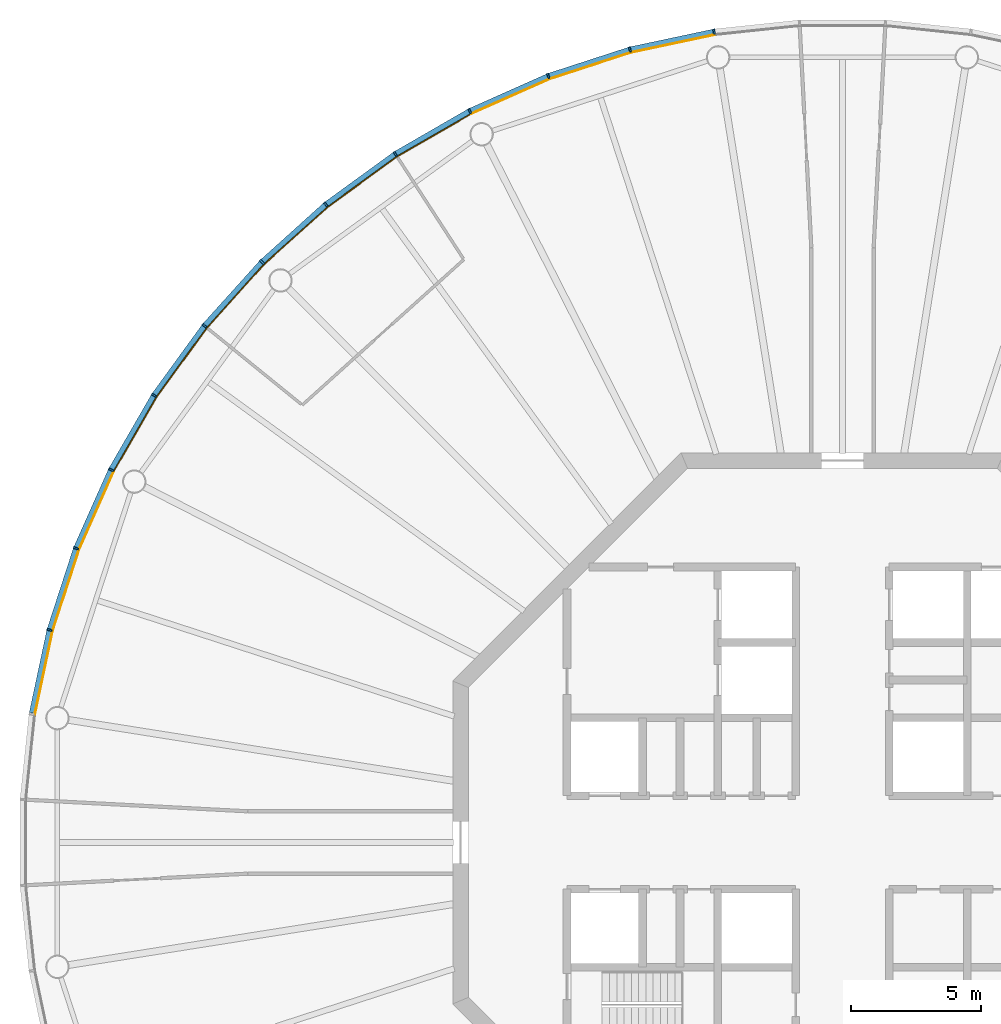
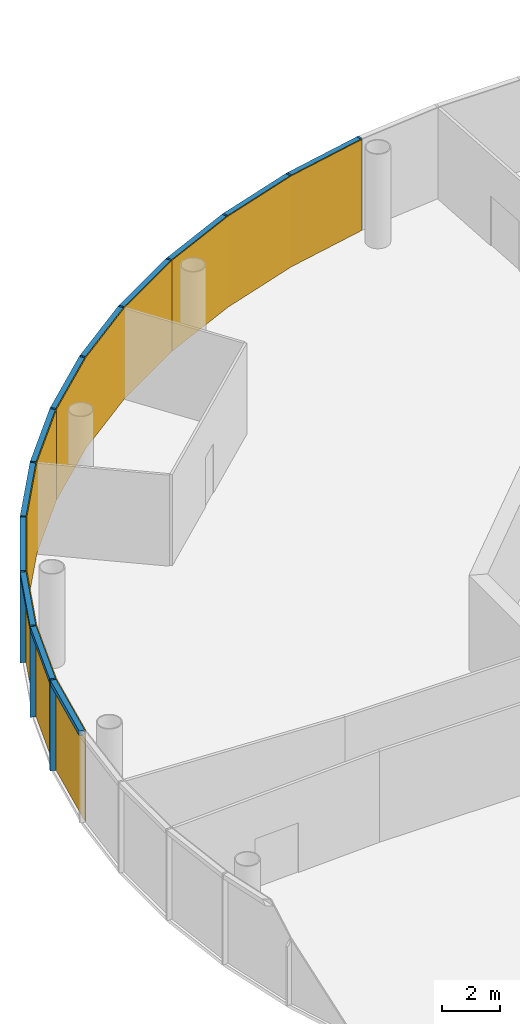
# One storey, part 10 of 13: 24 members, 4 curtain walls.
"""IFC4 building model written with IfcOpenShell, lengths in metres."""

from ifc_helpers import new_model, si_unit, direction, frame, origin, origin_2d, place, context, subcontext, project, spatial, polyline, rectangle, outline, extrude, material, layer, layer_set, material_profile, profile_set, type_object, element, aggregate, save


model = new_model("IFC4")

# Units and contexts
model_context = context("Model", 3, precision=1e-05, world=origin(), true_north=direction((0.0, 1.0)))
body_context = subcontext(model_context, "Body", "Model", "MODEL_VIEW")
ifc_project = project(units=[si_unit("LENGTHUNIT", "METRE"), si_unit("AREAUNIT", "SQUARE_METRE"), si_unit("VOLUMEUNIT", "CUBIC_METRE"), si_unit("PLANEANGLEUNIT", "RADIAN"), si_unit("MASSUNIT", "GRAM", prefix="KILO")], contexts=[model_context])

# Member
ifc_material_1 = material(Name="Anodised aluminium", Category="aluminium")
ifc_material_profile_1 = material_profile(ifc_material_1, rectangle(XDim=0.070068359375, YDim=0.205078125, at=origin_2d()), Name="Mullion 70 x 205 mm anodised aluminium")
ifc_profile_set_1 = profile_set([ifc_material_profile_1], Name="Anodised aluminium")
member_type_1 = type_object("IfcMemberType", Name="Mullion 70 x 205 mm anodised aluminium", PredefinedType="MULLION", material=ifc_profile_set_1)
site_placement = place(None, origin())
building_placement = place(site_placement, origin())
storey_placement = place(building_placement, frame((0.0, 0.0, 348.0)))
member_1_placement = place(storey_placement, frame((85.056396484375, 111.21337890625, 0.0), z_axis=(0.0, 0.0, 1.0), x_axis=(-0.987688340595, -0.15643446504, 0.0)))
member_1 = element("IfcMember", 1, at=member_1_placement, type_object=member_type_1, Name="MULLION L80-15", PredefinedType="MULLION", context=body_context, shape_type="SweptSolid", body=[
    extrude(rectangle(XDim=0.070068359375, YDim=0.205078125, at=origin_2d()), origin(), (0.0, 0.0, 1.0), 3.85009765625),
])

member_2_placement = place(storey_placement, frame((81.820556640625, 110.525634765625, 0.0), z_axis=(0.0, 0.0, 1.0), x_axis=(-0.965925826289, -0.258819045103, 0.0)))
member_2 = element("IfcMember", 2, at=member_2_placement, type_object=member_type_1, Name="MULLION L80-16", PredefinedType="MULLION", context=body_context, shape_type="SweptSolid", body=[
    extrude(rectangle(XDim=0.070068359375, YDim=0.205078125, at=origin_2d()), origin(), (0.0, 0.0, 1.0), 3.85009765625),
])

member_3_placement = place(storey_placement, frame((78.674560546875, 109.50341796875, 0.0), z_axis=(0.0, 0.0, 1.0), x_axis=(-0.933580426497, -0.358367949545, 0.0)))
member_3 = element("IfcMember", 3, at=member_3_placement, type_object=member_type_1, Name="MULLION L80-17", PredefinedType="MULLION", context=body_context, shape_type="SweptSolid", body=[
    extrude(rectangle(XDim=0.070068359375, YDim=0.205078125, at=origin_2d()), origin(), (0.0, 0.0, 1.0), 3.85009765625),
])

member_4_placement = place(storey_placement, frame((75.65283203125, 108.157958984375, 0.0), z_axis=(0.0, 0.0, 1.0), x_axis=(-0.891006524188, -0.45399049974, 0.0)))
member_4 = element("IfcMember", 4, at=member_4_placement, type_object=member_type_1, Name="MULLION L80-18", PredefinedType="MULLION", context=body_context, shape_type="SweptSolid", body=[
    extrude(rectangle(XDim=0.070068359375, YDim=0.205078125, at=origin_2d()), origin(), (0.0, 0.0, 1.0), 3.85009765625),
])

member_5_placement = place(storey_placement, frame((72.7880859375, 106.504150390625, 0.0), z_axis=(0.0, 0.0, 1.0), x_axis=(-0.838670567945, -0.544639035015, 0.0)))
member_5 = element("IfcMember", 5, at=member_5_placement, type_object=member_type_1, Name="MULLION L80-19", PredefinedType="MULLION", context=body_context, shape_type="SweptSolid", body=[
    extrude(rectangle(XDim=0.070068359375, YDim=0.205078125, at=origin_2d()), origin(), (0.0, 0.0, 1.0), 3.85009765625),
])

member_6_placement = place(storey_placement, frame((70.11181640625, 104.559814453125, 0.0), z_axis=(0.0, 0.0, 1.0), x_axis=(-0.777145961457, -0.62932039105, 0.0)))
member_6 = element("IfcMember", 6, at=member_6_placement, type_object=member_type_1, Name="MULLION L80-20", PredefinedType="MULLION", context=body_context, shape_type="SweptSolid", body=[
    extrude(rectangle(XDim=0.070068359375, YDim=0.205078125, at=origin_2d()), origin(), (0.0, 0.0, 1.0), 3.85009765625),
])

member_7_placement = place(storey_placement, frame((67.653564453125, 102.346435546875, 0.0), z_axis=(0.0, 0.0, 1.0), x_axis=(-0.707106781187, -0.707106781187, 0.0)))
member_7 = element("IfcMember", 7, at=member_7_placement, type_object=member_type_1, Name="MULLION L80-21", PredefinedType="MULLION", context=body_context, shape_type="SweptSolid", body=[
    extrude(rectangle(XDim=0.070068359375, YDim=0.205078125, at=origin_2d()), origin(), (0.0, 0.0, 1.0), 3.85009765625),
])

member_8_placement = place(storey_placement, frame((65.440185546875, 99.88818359375, 0.0), z_axis=(0.0, 0.0, 1.0), x_axis=(-0.62932039105, -0.777145961457, 0.0)))
member_8 = element("IfcMember", 8, at=member_8_placement, type_object=member_type_1, Name="MULLION L80-22", PredefinedType="MULLION", context=body_context, shape_type="SweptSolid", body=[
    extrude(rectangle(XDim=0.070068359375, YDim=0.205078125, at=origin_2d()), origin(), (0.0, 0.0, 1.0), 3.85009765625),
])

member_9_placement = place(storey_placement, frame((63.495849609375, 97.2119140625, 0.0), z_axis=(0.0, 0.0, 1.0), x_axis=(-0.544639035015, -0.838670567945, 0.0)))
member_9 = element("IfcMember", 9, at=member_9_placement, type_object=member_type_1, Name="MULLION L80-23", PredefinedType="MULLION", context=body_context, shape_type="SweptSolid", body=[
    extrude(rectangle(XDim=0.070068359375, YDim=0.205078125, at=origin_2d()), origin(), (0.0, 0.0, 1.0), 3.85009765625),
])

member_10_placement = place(storey_placement, frame((61.842041015625, 94.34716796875, 0.0), z_axis=(0.0, 0.0, 1.0), x_axis=(-0.45399049974, -0.891006524188, 0.0)))
member_10 = element("IfcMember", 10, at=member_10_placement, type_object=member_type_1, Name="MULLION L80-24", PredefinedType="MULLION", context=body_context, shape_type="SweptSolid", body=[
    extrude(rectangle(XDim=0.070068359375, YDim=0.205078125, at=origin_2d()), origin(), (0.0, 0.0, 1.0), 3.85009765625),
])

member_11_placement = place(storey_placement, frame((60.49658203125, 91.325439453125, 0.0), z_axis=(0.0, 0.0, 1.0), x_axis=(-0.358367949545, -0.933580426497, 0.0)))
member_11 = element("IfcMember", 11, at=member_11_placement, type_object=member_type_1, Name="MULLION L80-25", PredefinedType="MULLION", context=body_context, shape_type="SweptSolid", body=[
    extrude(rectangle(XDim=0.070068359375, YDim=0.205078125, at=origin_2d()), origin(), (0.0, 0.0, 1.0), 3.85009765625),
])

member_12_placement = place(storey_placement, frame((59.474365234375, 88.179443359375, 0.0), z_axis=(0.0, 0.0, 1.0), x_axis=(-0.258819045103, -0.965925826289, 0.0)))
member_12 = element("IfcMember", 12, at=member_12_placement, type_object=member_type_1, Name="MULLION L80-26", PredefinedType="MULLION", context=body_context, shape_type="SweptSolid", body=[
    extrude(rectangle(XDim=0.070068359375, YDim=0.205078125, at=origin_2d()), origin(), (0.0, 0.0, 1.0), 3.85009765625),
])

ifc_material_2 = material(Name="Anodised aluminium", Category="aluminium")
ifc_material_profile_2 = material_profile(ifc_material_2, rectangle(XDim=0.205078125, YDim=0.195068359375, at=origin_2d()), Name="Transom 195 x 205 mm anodised aluminium")
ifc_profile_set_2 = profile_set([ifc_material_profile_2], Name="Anodised aluminium")
member_type_2 = type_object("IfcMemberType", Name="Transom 195 x 205 mm anodised aluminium", PredefinedType="USERDEFINED", material=ifc_profile_set_2)
member_13_placement = place(storey_placement, frame((85.016845703125, 111.205078125, 3.75244140625), z_axis=(-0.978153082647, -0.207885898771, 0.0), x_axis=(0.207885898771, -0.978153082647, 0.0)))
member_13 = element("IfcMember", 13, at=member_13_placement, type_object=member_type_2, Name="TRANSOM L80-15", ObjectType="TRANSOM", PredefinedType="USERDEFINED", context=body_context, shape_type="SweptSolid", body=[
    extrude(rectangle(XDim=0.205078125, YDim=0.195068359375, at=origin_2d()), origin(), (0.0, 0.0, 1.0), 3.227294921875),
])

member_14_placement = place(storey_placement, frame((81.7822265625, 110.513427734375, 3.75244140625), z_axis=(-0.951046855117, -0.309046726844, 0.0), x_axis=(0.309046726844, -0.951046855117, 0.0)))
member_14 = element("IfcMember", 14, at=member_14_placement, type_object=member_type_2, Name="TRANSOM L80-16", ObjectType="TRANSOM", PredefinedType="USERDEFINED", context=body_context, shape_type="SweptSolid", body=[
    extrude(rectangle(XDim=0.205078125, YDim=0.195068359375, at=origin_2d()), origin(), (0.0, 0.0, 1.0), 3.22705078125),
])

member_15_placement = place(storey_placement, frame((78.6376953125, 109.4873046875, 3.75244140625), z_axis=(-0.913521178731, -0.406791170024, 0.0), x_axis=(0.406791170024, -0.913521178731, 0.0)))
member_15 = element("IfcMember", 15, at=member_15_placement, type_object=member_type_2, Name="TRANSOM L80-17", ObjectType="TRANSOM", PredefinedType="USERDEFINED", context=body_context, shape_type="SweptSolid", body=[
    extrude(rectangle(XDim=0.205078125, YDim=0.195068359375, at=origin_2d()), origin(), (0.0, 0.0, 1.0), 3.22705078125),
])

member_16_placement = place(storey_placement, frame((75.61767578125, 108.137939453125, 3.75244140625), z_axis=(-0.866023062494, -0.500004055213, 0.0), x_axis=(0.500004055213, -0.866023062494, 0.0)))
member_16 = element("IfcMember", 16, at=member_16_placement, type_object=member_type_2, Name="TRANSOM L80-18", ObjectType="TRANSOM", PredefinedType="USERDEFINED", context=body_context, shape_type="SweptSolid", body=[
    extrude(rectangle(XDim=0.205078125, YDim=0.195068359375, at=origin_2d()), origin(), (0.0, 0.0, 1.0), 3.22705078125),
])

member_17_placement = place(storey_placement, frame((72.75537109375, 106.48046875, 3.75244140625), z_axis=(-0.809004252048, -0.587802790201, 0.0), x_axis=(0.587802790201, -0.809004252048, 0.0)))
member_17 = element("IfcMember", 17, at=member_17_placement, type_object=member_type_2, Name="TRANSOM L80-19", ObjectType="TRANSOM", PredefinedType="USERDEFINED", context=body_context, shape_type="SweptSolid", body=[
    extrude(rectangle(XDim=0.205078125, YDim=0.195068359375, at=origin_2d()), origin(), (0.0, 0.0, 1.0), 3.227294921875),
])

member_18_placement = place(storey_placement, frame((70.081787109375, 104.532958984375, 3.75244140625), z_axis=(-0.743132370743, -0.669144438484, 0.0), x_axis=(0.669144438484, -0.743132370743, 0.0)))
member_18 = element("IfcMember", 18, at=member_18_placement, type_object=member_type_2, Name="TRANSOM L80-20", ObjectType="TRANSOM", PredefinedType="USERDEFINED", context=body_context, shape_type="SweptSolid", body=[
    extrude(rectangle(XDim=0.205078125, YDim=0.195068359375, at=origin_2d()), origin(), (0.0, 0.0, 1.0), 3.22705078125),
])

member_19_placement = place(storey_placement, frame((67.62646484375, 102.31640625, 3.75244140625), z_axis=(-0.669144438484, -0.743132370743, 0.0), x_axis=(0.743132370743, -0.669144438484, 0.0)))
member_19 = element("IfcMember", 19, at=member_19_placement, type_object=member_type_2, Name="TRANSOM L80-21", ObjectType="TRANSOM", PredefinedType="USERDEFINED", context=body_context, shape_type="SweptSolid", body=[
    extrude(rectangle(XDim=0.205078125, YDim=0.195068359375, at=origin_2d()), origin(), (0.0, 0.0, 1.0), 3.22705078125),
])

member_20_placement = place(storey_placement, frame((65.41650390625, 99.85546875, 3.75244140625), z_axis=(-0.587802790201, -0.809004252048, 0.0), x_axis=(0.809004252048, -0.587802790201, 0.0)))
member_20 = element("IfcMember", 20, at=member_20_placement, type_object=member_type_2, Name="TRANSOM L80-22", ObjectType="TRANSOM", PredefinedType="USERDEFINED", context=body_context, shape_type="SweptSolid", body=[
    extrude(rectangle(XDim=0.205078125, YDim=0.195068359375, at=origin_2d()), origin(), (0.0, 0.0, 1.0), 3.227294921875),
])

member_21_placement = place(storey_placement, frame((63.4755859375, 97.177001953125, 3.75244140625), z_axis=(-0.500004055213, -0.866023062494, 0.0), x_axis=(0.866023062494, -0.500004055213, 0.0)))
member_21 = element("IfcMember", 21, at=member_21_placement, type_object=member_type_2, Name="TRANSOM L80-23", ObjectType="TRANSOM", PredefinedType="USERDEFINED", context=body_context, shape_type="SweptSolid", body=[
    extrude(rectangle(XDim=0.205078125, YDim=0.195068359375, at=origin_2d()), origin(), (0.0, 0.0, 1.0), 3.22705078125),
])

member_22_placement = place(storey_placement, frame((61.825439453125, 94.310302734375, 3.75244140625), z_axis=(-0.406791170024, -0.913521178731, 0.0), x_axis=(0.913521178731, -0.406791170024, 0.0)))
member_22 = element("IfcMember", 22, at=member_22_placement, type_object=member_type_2, Name="TRANSOM L80-24", ObjectType="TRANSOM", PredefinedType="USERDEFINED", context=body_context, shape_type="SweptSolid", body=[
    extrude(rectangle(XDim=0.205078125, YDim=0.195068359375, at=origin_2d()), origin(), (0.0, 0.0, 1.0), 3.22705078125),
])

member_23_placement = place(storey_placement, frame((60.48388671875, 91.286865234375, 3.75244140625), z_axis=(-0.309046726844, -0.951046855117, 0.0), x_axis=(0.951046855117, -0.309046726844, 0.0)))
member_23 = element("IfcMember", 23, at=member_23_placement, type_object=member_type_2, Name="TRANSOM L80-25", ObjectType="TRANSOM", PredefinedType="USERDEFINED", context=body_context, shape_type="SweptSolid", body=[
    extrude(rectangle(XDim=0.205078125, YDim=0.195068359375, at=origin_2d()), origin(), (0.0, 0.0, 1.0), 3.22705078125),
])

member_24_placement = place(storey_placement, frame((59.4658203125, 88.139892578125, 3.75244140625), z_axis=(-0.207885898771, -0.978153082647, 0.0), x_axis=(0.978153082647, -0.207885898771, 0.0)))
member_24 = element("IfcMember", 24, at=member_24_placement, type_object=member_type_2, Name="TRANSOM L80-26", ObjectType="TRANSOM", PredefinedType="USERDEFINED", context=body_context, shape_type="SweptSolid", body=[
    extrude(rectangle(XDim=0.205078125, YDim=0.195068359375, at=origin_2d()), origin(), (0.0, 0.0, 1.0), 3.227294921875),
])

# Site, building, storey
site = spatial("IfcSite", under=ifc_project, at=site_placement, CompositionType="ELEMENT")
building = spatial("IfcBuilding", under=site, at=building_placement, Name="Entoto Ring Tower", CompositionType="ELEMENT")
storey = spatial("IfcBuildingStorey", under=building, at=storey_placement, Name="L80", CompositionType="ELEMENT", Elevation=348.0)

# Curtain wall
ifc_material_3 = material(Name="Clear low-iron glass", Category="glass")
ifc_layer = layer(ifc_material_3, 0.035888671875)
ifc_layer_set = layer_set([ifc_layer], Name="Clear low-iron glass")
curtain_wall_type = type_object("IfcCurtainWallType", Name="Curtain wall system CW6 glazing 36 mm", PredefinedType="NOTDEFINED", material=ifc_layer_set)
curtain_wall_1_placement = place(storey_placement, origin())
curtain_wall_1 = element("IfcCurtainWall", 25, at=curtain_wall_1_placement, inside=storey, type_object=curtain_wall_type, Name="CW6 L80-06", PredefinedType="NOTDEFINED", context=body_context, shape_type="SweptSolid", body=[
    extrude(outline(polyline([(85.072265625, 111.1123046875), (81.84716796875, 110.4267578125), (78.71142578125, 109.40771484375), (75.69921875, 108.066650390625), (75.715576171875, 108.03466796875), (78.724365234375, 109.3740234375), (81.8564453125, 110.391845703125), (85.077880859375, 111.07666015625), (85.072265625, 111.1123046875)])), origin(), (0.0, 0.0, 1.0), 3.85009765625),
])

aggregate(curtain_wall_1, [member_1, member_2, member_3, member_13, member_14, member_15])

curtain_wall_2_placement = place(storey_placement, origin())
curtain_wall_2 = element("IfcCurtainWall", 26, at=curtain_wall_2_placement, inside=storey, type_object=curtain_wall_type, Name="CW6 L80-07", PredefinedType="NOTDEFINED", context=body_context, shape_type="SweptSolid", body=[
    extrude(outline(polyline([(75.69921875, 108.066650390625), (72.84375, 106.418212890625), (70.176513671875, 104.47998046875), (67.72607421875, 102.27392578125), (67.751708984375, 102.248291015625), (70.198974609375, 104.4521484375), (72.863525390625, 106.387939453125), (75.715576171875, 108.03466796875), (75.69921875, 108.066650390625)])), origin(), (0.0, 0.0, 1.0), 3.85009765625),
])

aggregate(curtain_wall_2, [member_4, member_5, member_6, member_16, member_17, member_18])

curtain_wall_3_placement = place(storey_placement, origin())
curtain_wall_3 = element("IfcCurtainWall", 27, at=curtain_wall_3_placement, inside=storey, type_object=curtain_wall_type, Name="CW6 L80-08", PredefinedType="NOTDEFINED", context=body_context, shape_type="SweptSolid", body=[
    extrude(outline(polyline([(67.72607421875, 102.27392578125), (65.52001953125, 99.823486328125), (63.581787109375, 97.15625), (61.933349609375, 94.30078125), (61.96533203125, 94.284423828125), (63.612060546875, 97.136474609375), (65.5478515625, 99.801025390625), (67.751708984375, 102.248291015625), (67.72607421875, 102.27392578125)])), origin(), (0.0, 0.0, 1.0), 3.85009765625),
])

aggregate(curtain_wall_3, [member_7, member_8, member_9, member_19, member_20, member_21])

curtain_wall_4_placement = place(storey_placement, origin())
curtain_wall_4 = element("IfcCurtainWall", 28, at=curtain_wall_4_placement, inside=storey, type_object=curtain_wall_type, Name="CW6 L80-09", PredefinedType="NOTDEFINED", context=body_context, shape_type="SweptSolid", body=[
    extrude(outline(polyline([(61.933349609375, 94.30078125), (60.59228515625, 91.28857421875), (59.5732421875, 88.15283203125), (58.8876953125, 84.927734375), (58.92333984375, 84.922119140625), (59.608154296875, 88.1435546875), (60.6259765625, 91.275634765625), (61.96533203125, 94.284423828125), (61.933349609375, 94.30078125)])), origin(), (0.0, 0.0, 1.0), 3.85009765625),
])

aggregate(curtain_wall_4, [member_10, member_11, member_12, member_22, member_23, member_24])

save(model, "model.ifc")
